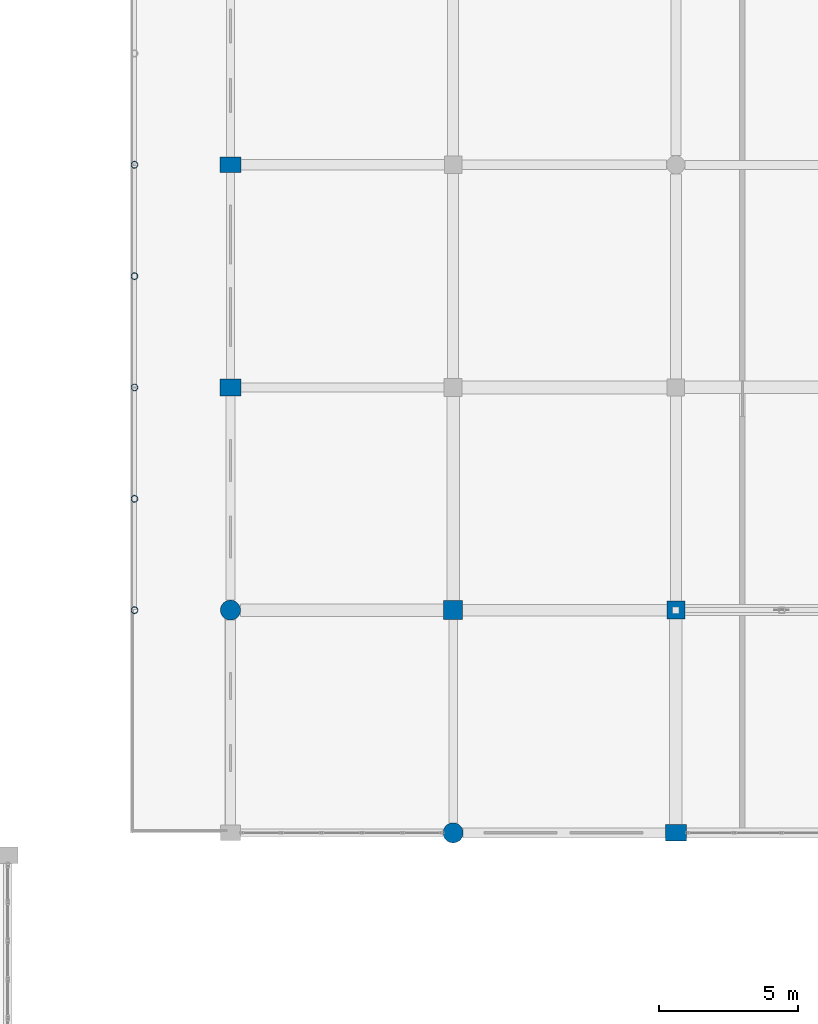
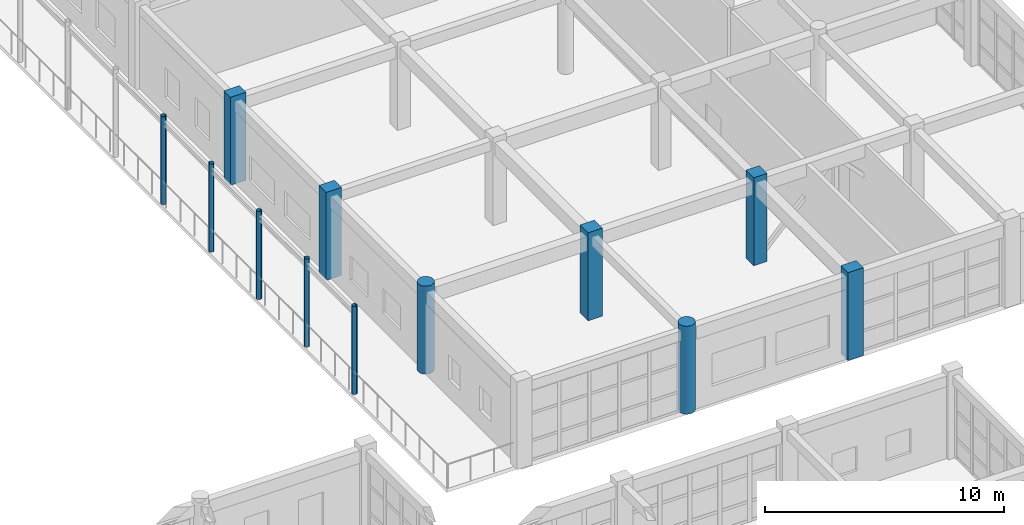
# One storey, part 29 of 160: 12 columns.
"""IFC4 building model written with IfcOpenShell, lengths in metres."""

from ifc_helpers import new_model, si_unit, direction, frame, origin, origin_2d, place, context, subcontext, project, spatial, rectangle, circle, hollow_circle, extrude, material, material_profile, profile_set, type_object, element, save


model = new_model("IFC4")

# Units and contexts
model_context = context("Model", 3, precision=1e-05, world=origin(), true_north=direction((0.0, 1.0)))
body_context = subcontext(model_context, "Body", "Model", "MODEL_VIEW")
ifc_project = project(units=[si_unit("LENGTHUNIT", "METRE"), si_unit("AREAUNIT", "SQUARE_METRE"), si_unit("VOLUMEUNIT", "CUBIC_METRE"), si_unit("PLANEANGLEUNIT", "RADIAN"), si_unit("MASSUNIT", "GRAM", prefix="KILO")], contexts=[model_context])

# Site, building, storey
site_placement = place(None, origin())
site = spatial("IfcSite", under=ifc_project, at=site_placement, CompositionType="ELEMENT")
building_placement = place(site_placement, origin())
building = spatial("IfcBuilding", under=site, at=building_placement, Name="Kharva Crest Polytechnic", CompositionType="ELEMENT")
storey_placement = place(building_placement, frame((0.0, 0.0, 4.5)))
storey = spatial("IfcBuildingStorey", under=building, at=storey_placement, Name="L01", CompositionType="ELEMENT", Elevation=4.5)

# Columns
ifc_material_1 = material(Name="Concrete C40/50", Category="concrete")
ifc_material_profile_1 = material_profile(ifc_material_1, rectangle(XDim=0.75, YDim=0.550048828125, at=origin_2d()), Name="RECT 750 X 550")
ifc_profile_set_1 = profile_set([ifc_material_profile_1], Name="Concrete C40/50")
column_type_1 = type_object("IfcColumnType", Name="COL-EXT-750X550", PredefinedType="COLUMN", material=ifc_profile_set_1)
column_1_placement = place(storey_placement, frame((152.800048828125, 62.800048828125, 0.0), z_axis=(0.0, 0.0, 1.0), x_axis=(1.0, 0.0, 0.0)))
element("IfcColumn", 1, at=column_1_placement, inside=storey, type_object=column_type_1, Name="L01 Column 20/J", PredefinedType="COLUMN", context=body_context, shape_type="SweptSolid", body=[
    extrude(rectangle(XDim=0.75, YDim=0.550048828125, at=origin_2d()), origin(), (0.0, 0.0, 1.0), 4.5),
])
ifc_material_profile_2 = material_profile(ifc_material_1, rectangle(XDim=0.75, YDim=0.60009765625, at=origin_2d()), Name="RECT 750 X 600")
ifc_profile_set_2 = profile_set([ifc_material_profile_2], Name="Concrete C40/50")
column_type_2 = type_object("IfcColumnType", Name="COL-EXT-750X600", PredefinedType="COLUMN", material=ifc_profile_set_2)
for number, where, z_axis, x_axis, name in (
    (2, (152.800048828125, 54.800048828125, 0.0), (0.0, 0.0, 1.0), (1.0, 0.0, 0.0), "L01 Column 20/H"),
    (3, (168.800048828125, 38.800048828125, 0.0), (0.0, 0.0, 1.0), (1.0, 0.0, 0.0), "L01 Column 22/FJ"),
):
    element("IfcColumn", number, at=place(storey_placement, frame(where, z_axis=z_axis, x_axis=x_axis)), inside=storey, type_object=column_type_2, Name=name, PredefinedType="COLUMN", context=body_context, shape_type="SweptSolid", body=[
        extrude(rectangle(XDim=0.75, YDim=0.60009765625, at=origin_2d()), origin(), (0.0, 0.0, 1.0), 4.5),
    ])
ifc_material_profile_3 = material_profile(ifc_material_1, circle(Radius=0.360107421875, at=origin_2d()), Name="DIA 720")
ifc_profile_set_3 = profile_set([ifc_material_profile_3], Name="Concrete C40/50")
column_type_3 = type_object("IfcColumnType", Name="COL-EXT-DIA720", PredefinedType="COLUMN", material=ifc_profile_set_3)
for number, where, z_axis, x_axis, name in (
    (4, (152.800048828125, 46.800048828125, 0.0), (0.0, 0.0, 1.0), (1.0, 0.0, 0.0), "L01 Column 20/G"),
    (5, (160.800048828125, 38.800048828125, 0.0), (0.0, 0.0, 1.0), (1.0, 0.0, 0.0), "L01 Column 21/FJ"),
):
    element("IfcColumn", number, at=place(storey_placement, frame(where, z_axis=z_axis, x_axis=x_axis)), inside=storey, type_object=column_type_3, Name=name, PredefinedType="COLUMN", context=body_context, shape_type="SweptSolid", body=[
        extrude(circle(Radius=0.360107421875, at=origin_2d()), origin(), (0.0, 0.0, 1.0), 4.5),
    ])
ifc_material_profile_4 = material_profile(ifc_material_1, rectangle(XDim=0.64990234375, YDim=0.64990234375, at=origin_2d()), Name="RECT 650 X 650")
ifc_profile_set_4 = profile_set([ifc_material_profile_4], Name="Concrete C40/50")
column_type_4 = type_object("IfcColumnType", Name="COL-INT-650X650", PredefinedType="COLUMN", material=ifc_profile_set_4)
column_2_placement = place(storey_placement, frame((168.800048828125, 46.800048828125, 0.0), z_axis=(0.0, 0.0, 1.0), x_axis=(1.0, 0.0, 0.0)))
element("IfcColumn", 6, at=column_2_placement, inside=storey, type_object=column_type_4, Name="L01 Column 22/G", PredefinedType="COLUMN", context=body_context, shape_type="SweptSolid", body=[
    extrude(rectangle(XDim=0.64990234375, YDim=0.64990234375, at=origin_2d()), origin(), (0.0, 0.0, 1.0), 4.5),
])
ifc_material_profile_5 = material_profile(ifc_material_1, rectangle(XDim=0.679931640625, YDim=0.679931640625, at=origin_2d()), Name="RECT 680 X 680")
ifc_profile_set_5 = profile_set([ifc_material_profile_5], Name="Concrete C40/50")
column_type_5 = type_object("IfcColumnType", Name="COL-INT-680X680", PredefinedType="COLUMN", material=ifc_profile_set_5)
column_3_placement = place(storey_placement, frame((160.800048828125, 46.800048828125, 0.0), z_axis=(0.0, 0.0, 1.0), x_axis=(1.0, 0.0, 0.0)))
element("IfcColumn", 7, at=column_3_placement, inside=storey, type_object=column_type_5, Name="L01 Column 21/G", PredefinedType="COLUMN", context=body_context, shape_type="SweptSolid", body=[
    extrude(rectangle(XDim=0.679931640625, YDim=0.679931640625, at=origin_2d()), origin(), (0.0, 0.0, 1.0), 4.5),
])
ifc_material_2 = material(Name="Steel S355", Category="steel")
ifc_material_profile_6 = material_profile(ifc_material_2, hollow_circle(Radius=0.122314453125, WallThickness=0.010009765625, at=origin_2d()), Name="CHS 244.5X10.0")
ifc_profile_set_6 = profile_set([ifc_material_profile_6], Name="Steel S355")
column_type_6 = type_object("IfcColumnType", Name="COL-STL-CHS244", PredefinedType="COLUMN", material=ifc_profile_set_6)
for number, where, z_axis, x_axis, name in (
    (8, (149.35009765625, 46.800048828125, 0.0), (0.0, 0.0, 1.0), (1.0, 0.0, 0.0), "L01 Colonnade Column VE01"),
    (9, (149.35009765625, 54.800048828125, 0.0), (0.0, 0.0, 1.0), (1.0, 0.0, 0.0), "L01 Colonnade Column VE02"),
    (10, (149.35009765625, 62.800048828125, 0.0), (0.0, 0.0, 1.0), (1.0, 0.0, 0.0), "L01 Colonnade Column VE03"),
    (11, (149.35009765625, 50.800048828125, 0.0), (0.0, 0.0, 1.0), (1.0, 0.0, 0.0), "L01 Colonnade Mid Column VEM01"),
    (12, (149.35009765625, 58.800048828125, 0.0), (0.0, 0.0, 1.0), (1.0, 0.0, 0.0), "L01 Colonnade Mid Column VEM02"),
):
    element("IfcColumn", number, at=place(storey_placement, frame(where, z_axis=z_axis, x_axis=x_axis)), inside=storey, type_object=column_type_6, Name=name, PredefinedType="COLUMN", context=body_context, shape_type="SweptSolid", body=[
        extrude(hollow_circle(Radius=0.122314453125, WallThickness=0.010009765625, at=origin_2d()), origin(), (0.0, 0.0, 1.0), 4.5),
    ])

save(model, "model.ifc")
